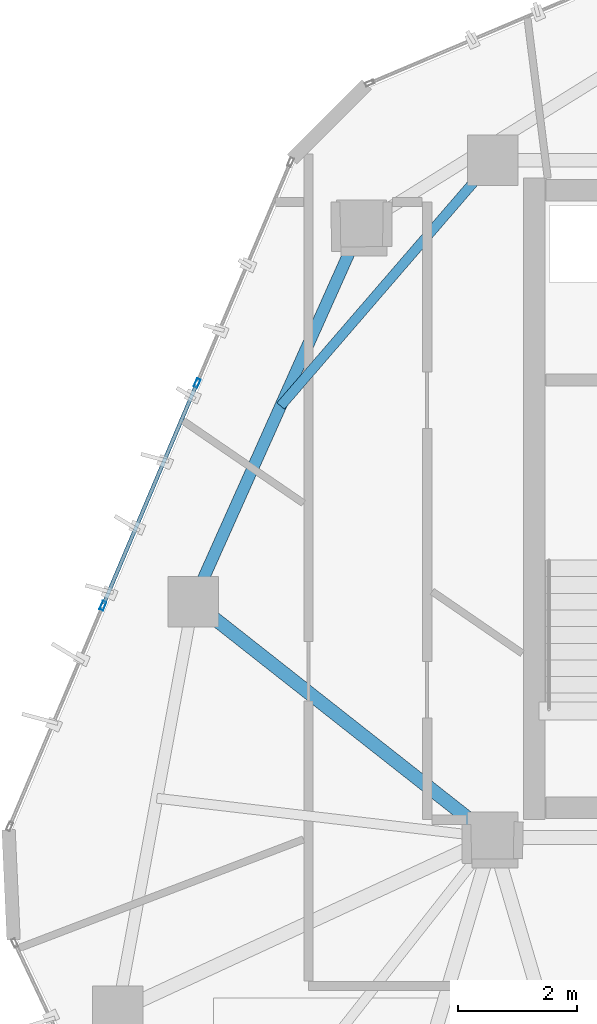
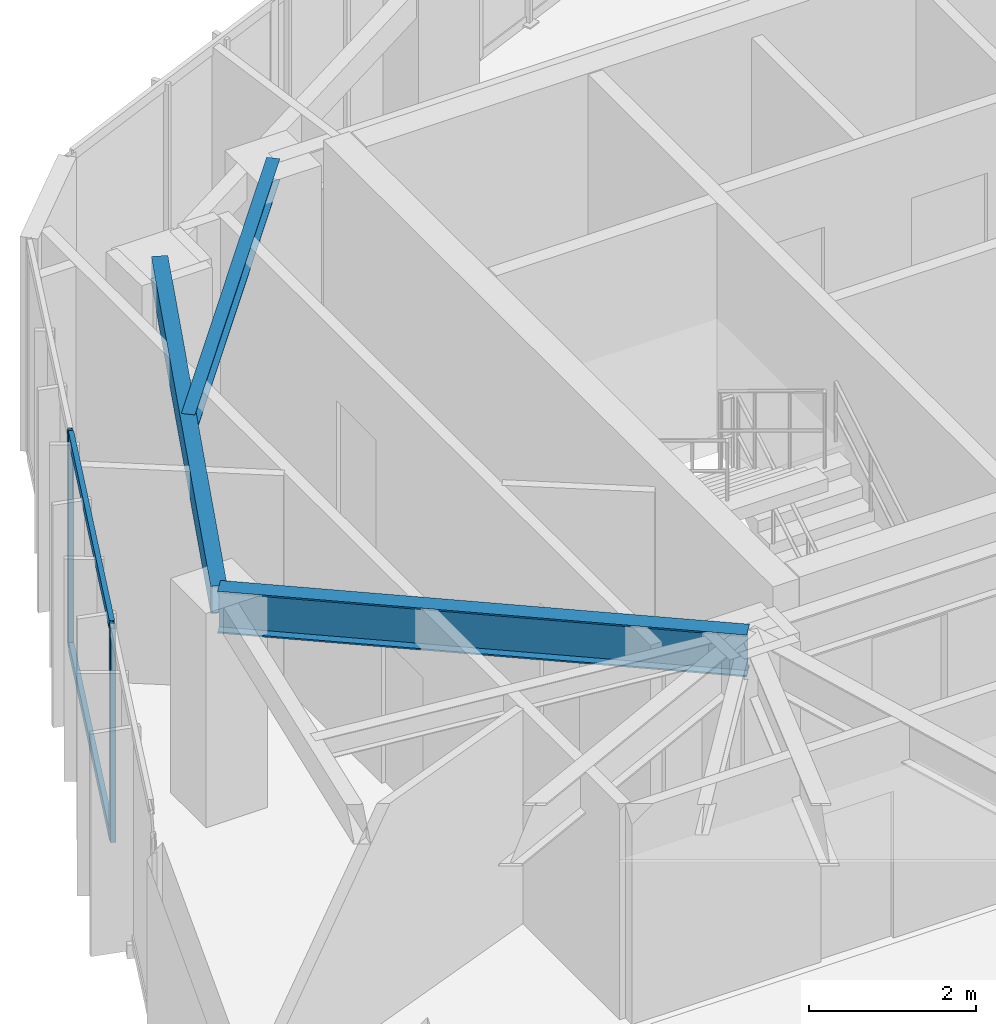
# One storey, part 8 of 20: 4 members, 3 beams, 1 element without a shape of its own.
"""IFC4 building model written with IfcOpenShell, lengths in metres."""

from ifc_helpers import new_model, si_unit, direction, frame, origin, origin_2d, place, context, subcontext, project, spatial, hollow_rectangle, i_section, extrude, source, transform, mapped, material, layer, layer_set, material_profile, profile_set, type_object, type_shapes, element, aggregate, save


model = new_model("IFC4")

# Units and contexts
model_context = context("Model", 3, precision=1e-05, world=origin(), true_north=direction((0.0, 1.0)))
body_context = subcontext(model_context, "Body", "Model", "MODEL_VIEW")
ifc_project = project(units=[si_unit("LENGTHUNIT", "METRE"), si_unit("AREAUNIT", "SQUARE_METRE"), si_unit("VOLUMEUNIT", "CUBIC_METRE"), si_unit("PLANEANGLEUNIT", "RADIAN"), si_unit("MASSUNIT", "GRAM", prefix="KILO")], contexts=[model_context])

# Site, building, storey
site_placement = place(None, origin())
site = spatial("IfcSite", under=ifc_project, at=site_placement, CompositionType="ELEMENT")
building_placement = place(site_placement, origin())
building = spatial("IfcBuilding", under=site, at=building_placement, Name="Talar Marvaseh", CompositionType="ELEMENT")
storey_placement = place(building_placement, frame((0.0, 0.0, 274.800048828125)))
storey = spatial("IfcBuildingStorey", under=building, at=storey_placement, Name="L73", CompositionType="ELEMENT", Elevation=274.800048828125)

# Beams
ifc_material_1 = material(Name="Steel S355", Category="steel")
ifc_material_profile_1 = material_profile(ifc_material_1, hollow_rectangle(XDim=0.199951171875, YDim=0.39990234375, WallThickness=0.013916015625, at=origin_2d()), Name="RHS400x200x14")
ifc_profile_set_1 = profile_set([ifc_material_profile_1], Name="Steel S355")
beam_type_1 = type_object("IfcBeamType", Name="Zone 3 Perimeter Spandrel Beam RHS400x200x14", PredefinedType="SPANDREL", material=ifc_profile_set_1)
beam_1_placement = place(storey_placement, frame((13.657958984375, 29.469970703125, 2.93994140625), z_axis=(0.408486346803, 0.912764429892, 0.0), x_axis=(-0.912764429892, 0.408486346803, 0.0)))
element("IfcBeam", 1, at=beam_1_placement, inside=storey, type_object=beam_type_1, Name="L73 Zone 3 Perimeter Spandrel Beam RHS400x200x14", PredefinedType="SPANDREL", context=body_context, shape_type="SweptSolid", body=[
    extrude(hollow_rectangle(XDim=0.199951171875, YDim=0.39990234375, WallThickness=0.013916015625, at=origin_2d()), origin(), (0.0, 0.0, 1.0), 6.942626953125),
])
ifc_material_profile_2 = material_profile(ifc_material_1, i_section(OverallWidth=0.166015625, OverallDepth=0.31298828125, WebThickness=0.006591796875, FlangeThickness=0.01123046875, at=origin_2d()), Name="W310x45")
ifc_profile_set_2 = profile_set([ifc_material_profile_2], Name="Steel S355")
beam_type_2 = type_object("IfcBeamType", Name="Zone 3 Secondary Floor Joist W310x45", PredefinedType="JOIST", material=ifc_profile_set_2)
beam_2_placement = place(storey_placement, frame((15.1328125, 32.76513671875, 2.9833984375), z_axis=(0.653221697747, 0.757166701323, 0.0), x_axis=(-0.757166701323, 0.653221697747, 0.0)))
element("IfcBeam", 2, at=beam_2_placement, inside=storey, type_object=beam_type_2, Name="L73 Zone 3 Secondary Floor Joist W310x45", PredefinedType="JOIST", context=body_context, shape_type="SweptSolid", body=[
    extrude(i_section(OverallWidth=0.166015625, OverallDepth=0.31298828125, WebThickness=0.006591796875, FlangeThickness=0.01123046875, at=origin_2d()), origin(), (0.0, 0.0, 1.0), 5.4609375),
])
ifc_material_profile_3 = material_profile(ifc_material_1, i_section(OverallWidth=0.22998046875, OverallDepth=0.616943359375, WebThickness=0.01318359375, FlangeThickness=0.022216796875, at=origin_2d()), Name="W610x140")
ifc_profile_set_3 = profile_set([ifc_material_profile_3], Name="Steel S355")
beam_type_3 = type_object("IfcBeamType", Name="Zone 4 Radial Floor Girder W610x140", PredefinedType="BEAM", material=ifc_profile_set_3)
beam_3_placement = place(storey_placement, frame((13.657958984375, 29.469970703125, 2.83154296875), z_axis=(0.785681617372, -0.618631066245, 0.0), x_axis=(0.618631066245, 0.785681617372, 0.0)))
element("IfcBeam", 3, at=beam_3_placement, inside=storey, type_object=beam_type_3, Name="L73 Zone 4 Radial Floor Girder W610x140", PredefinedType="BEAM", context=body_context, shape_type="SweptSolid", body=[
    extrude(i_section(OverallWidth=0.22998046875, OverallDepth=0.616943359375, WebThickness=0.01318359375, FlangeThickness=0.022216796875, at=origin_2d()), origin(), (0.0, 0.0, 1.0), 6.417236328125),
])

# Curtain wall, members
ifc_material_2 = material(Name="Architectural Aluminium", Category="aluminium")
ifc_layer = layer(ifc_material_2, 0.179931640625)
ifc_layer_set = layer_set([ifc_layer], Name="Architectural Aluminium")
curtain_wall_type = type_object("IfcCurtainWallType", Name="Unitised High-Wind Sky Curtain Wall Z4", PredefinedType="NOTDEFINED", material=ifc_layer_set)
curtain_wall_placement = place(storey_placement, origin())
curtain_wall = element("IfcCurtainWall", 4, at=curtain_wall_placement, inside=storey, type_object=curtain_wall_type, Name="L73 Unitised High-Wind Sky Curtain Wall Z4", PredefinedType="NOTDEFINED")
ifc_material_profile_4 = material_profile(ifc_material_2, hollow_rectangle(XDim=0.06494140625, YDim=0.14990234375, WallThickness=0.00390625, at=origin_2d()), Name="RHS150x65x4")
ifc_profile_set_4 = profile_set([ifc_material_profile_4], Name="Architectural Aluminium")
member_type_1 = type_object("IfcMemberType", Name="Unitised Curtain Wall Slim Mullion RHS150x65x4", PredefinedType="MULLION", material=ifc_profile_set_4)
shared_shape_1 = source(origin(), body_context, "Body", "SweptSolid", [
    extrude(hollow_rectangle(XDim=0.06494140625, YDim=0.14990234375, WallThickness=0.00390625, at=origin_2d()), origin(), (0.0, 0.0, 1.0), 3.139892578125),
])
type_shapes(member_type_1, [shared_shape_1])
member_1_placement = place(storey_placement, frame((12.141357421875, 29.403076171875, 0.0), z_axis=(0.0, 0.0, 1.0), x_axis=(-0.92096826873, 0.389637585446, 0.0)))
member_1 = element("IfcMember", 5, at=member_1_placement, type_object=member_type_1, Name="CW-Z4 mullion 2", PredefinedType="MULLION", context=body_context, shape_type="MappedRepresentation", body=[
    mapped(shared_shape_1, transform((0.0, 0.0, 0.0), x_axis=(1.0, 0.0, 0.0), y_axis=(0.0, 1.0, 0.0), z_axis=(0.0, 0.0, 1.0), scale=1.0)),
])
member_2_placement = place(storey_placement, frame((13.7265625, 33.150146484375, 0.0), z_axis=(0.0, 0.0, 1.0), x_axis=(-0.92096826873, 0.389637585446, 0.0)))
member_2 = element("IfcMember", 6, at=member_2_placement, type_object=member_type_1, Name="CW-Z4 mullion 3", PredefinedType="MULLION", context=body_context, shape_type="MappedRepresentation", body=[
    mapped(shared_shape_1, transform((0.0, 0.0, 0.0), x_axis=(1.0, 0.0, 0.0), y_axis=(0.0, 1.0, 0.0), z_axis=(0.0, 0.0, 1.0), scale=1.0)),
])
ifc_material_profile_5 = material_profile(ifc_material_2, hollow_rectangle(XDim=0.06494140625, YDim=0.14990234375, WallThickness=0.00390625, at=origin_2d()), Name="RHS150x65x4")
ifc_profile_set_5 = profile_set([ifc_material_profile_5], Name="Architectural Aluminium")
member_type_2 = type_object("IfcMemberType", Name="Unitised Curtain Wall Slim Transom RHS150x65x4", PredefinedType="USERDEFINED", material=ifc_profile_set_5)
shared_shape_2 = source(origin(), body_context, "Body", "SweptSolid", [
    extrude(hollow_rectangle(XDim=0.06494140625, YDim=0.14990234375, WallThickness=0.00390625, at=origin_2d()), origin(), (0.0, 0.0, 1.0), 4.003662109375),
])
type_shapes(member_type_2, [shared_shape_2])
member_3_placement = place(storey_placement, frame((12.154052734375, 29.432861328125, 0.032470703125), z_axis=(0.389602193526, 0.920983241324, 0.0), x_axis=(-0.920983241324, 0.389602193526, 0.0)))
member_3 = element("IfcMember", 7, at=member_3_placement, type_object=member_type_2, Name="CW-Z4 transom 2.1", ObjectType="TRANSOM", PredefinedType="USERDEFINED", context=body_context, shape_type="MappedRepresentation", body=[
    mapped(shared_shape_2, transform((0.0, 0.0, 0.0), x_axis=(1.0, 0.0, 0.0), y_axis=(0.0, 1.0, 0.0), z_axis=(0.0, 0.0, 1.0), scale=1.0)),
])
member_4_placement = place(storey_placement, frame((12.154052734375, 29.432861328125, 3.107421875), z_axis=(0.389602193526, 0.920983241324, 0.0), x_axis=(-0.920983241324, 0.389602193526, 0.0)))
member_4 = element("IfcMember", 8, at=member_4_placement, type_object=member_type_2, Name="CW-Z4 transom 2.2", ObjectType="TRANSOM", PredefinedType="USERDEFINED", context=body_context, shape_type="MappedRepresentation", body=[
    mapped(shared_shape_2, transform((0.0, 0.0, 0.0), x_axis=(1.0, 0.0, 0.0), y_axis=(0.0, 1.0, 0.0), z_axis=(0.0, 0.0, 1.0), scale=1.0)),
])
aggregate(curtain_wall, [member_1, member_2, member_3, member_4])

save(model, "model.ifc")
